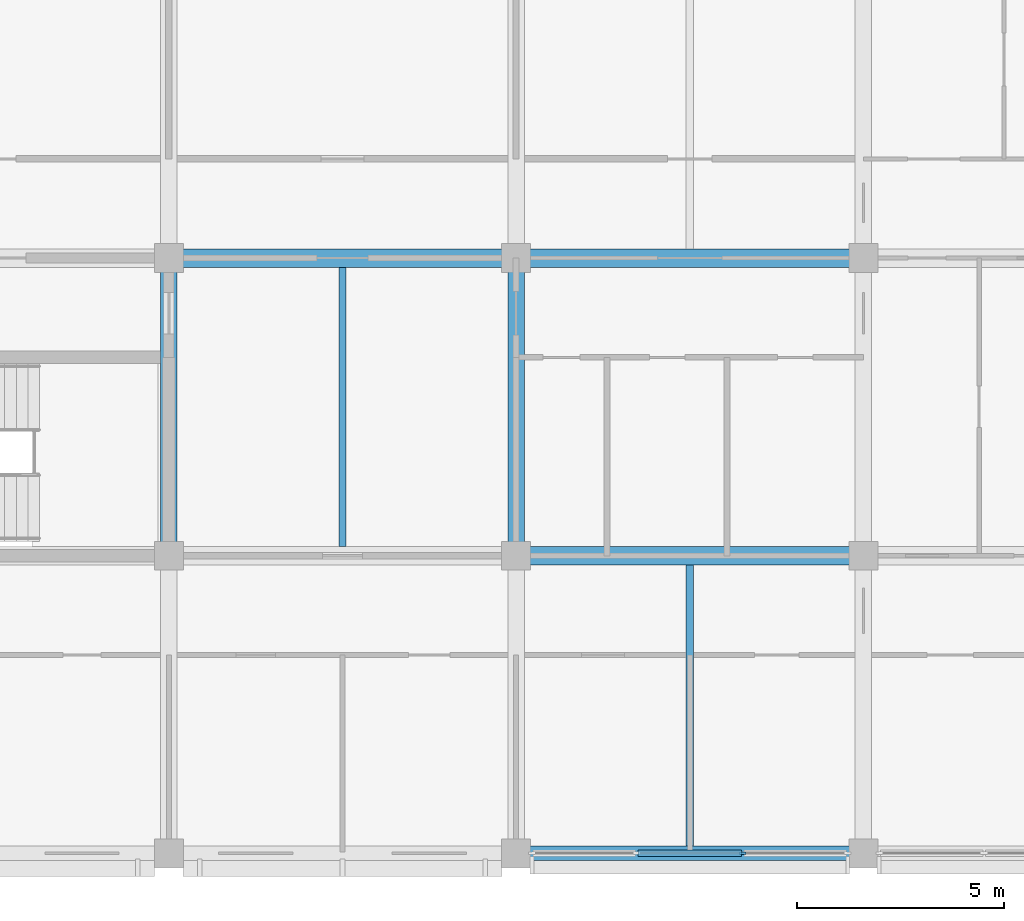
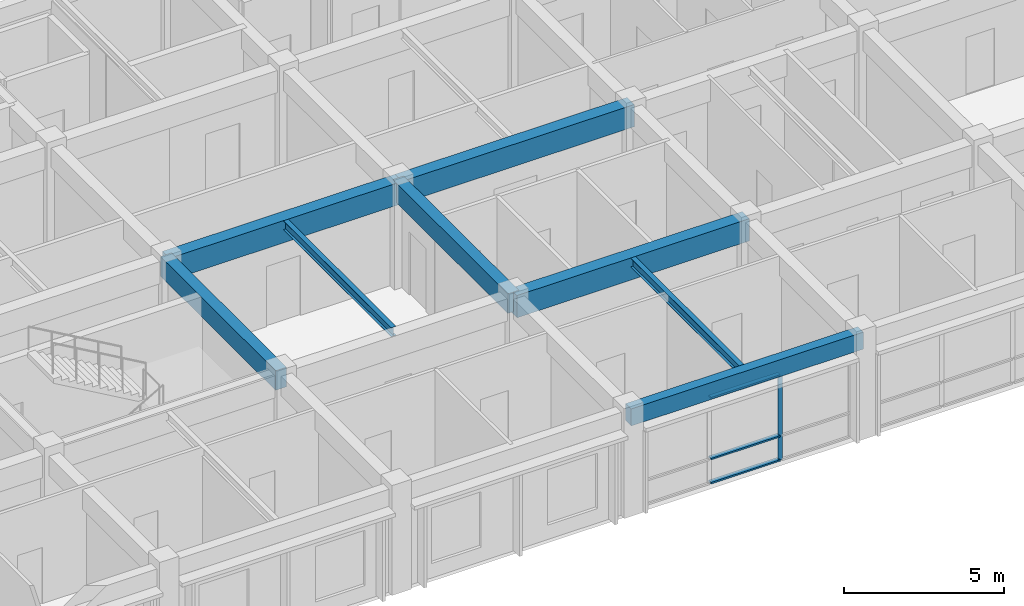
# One storey, part 3 of 19: 8 beams, 4 members, 1 element without a shape of its own.
"""IFC4 building model written with IfcOpenShell, lengths in metres."""

from ifc_helpers import new_model, si_unit, direction, frame, origin, origin_2d, place, context, subcontext, project, spatial, rectangle, i_section, extrude, material, layer, layer_set, material_profile, profile_set, type_object, element, aggregate, save


model = new_model("IFC4")

# Units and contexts
model_context = context("Model", 3, precision=1e-05, world=origin(), true_north=direction((0.0, 1.0)))
body_context = subcontext(model_context, "Body", "Model", "MODEL_VIEW")
ifc_project = project(units=[si_unit("LENGTHUNIT", "METRE"), si_unit("AREAUNIT", "SQUARE_METRE"), si_unit("VOLUMEUNIT", "CUBIC_METRE"), si_unit("PLANEANGLEUNIT", "RADIAN"), si_unit("MASSUNIT", "GRAM", prefix="KILO")], contexts=[model_context])

# Site, building, storey
site_placement = place(None, origin())
site = spatial("IfcSite", under=ifc_project, at=site_placement, CompositionType="ELEMENT")
building_placement = place(site_placement, origin())
building = spatial("IfcBuilding", under=site, at=building_placement, Name="Chengyuan Square Courthouse", CompositionType="ELEMENT")
storey_placement = place(building_placement, frame((0.0, 0.0, 56.10009765625)))
storey = spatial("IfcBuildingStorey", under=building, at=storey_placement, Name="L13", CompositionType="ELEMENT", Elevation=56.10009765625)

# Beams
ifc_material_1 = material(Name="Concrete C40", Category="concrete")
ifc_material_profile_1 = material_profile(ifc_material_1, rectangle(XDim=0.449951171875, YDim=0.85009765625, at=origin_2d()), Name="RC-BM-450x850")
ifc_profile_set_1 = profile_set([ifc_material_profile_1], Name="Concrete C40")
beam_type_1 = type_object("IfcBeamType", Name="BM-01", PredefinedType="USERDEFINED", material=ifc_profile_set_1)
beam_1_placement = place(storey_placement, frame((75.60009765625, 86.39990234375, 3.534912109375), z_axis=(1.0, 0.0, 0.0), x_axis=(0.0, 1.0, 0.0)))
element("IfcBeam", 1, at=beam_1_placement, inside=storey, type_object=beam_type_1, Name="Girder BM-L13-4346", ObjectType="GIRDER", PredefinedType="USERDEFINED", context=body_context, shape_type="SweptSolid", body=[
    extrude(rectangle(XDim=0.449951171875, YDim=0.85009765625, at=origin_2d()), origin(), (0.0, 0.0, 1.0), 8.39990234375),
])
beam_2_placement = place(storey_placement, frame((67.199951171875, 93.60009765625, 3.534912109375), z_axis=(1.0, 0.0, 0.0), x_axis=(0.0, 1.0, 0.0)))
element("IfcBeam", 2, at=beam_2_placement, inside=storey, type_object=beam_type_1, Name="Girder BM-L13-4353", ObjectType="GIRDER", PredefinedType="USERDEFINED", context=body_context, shape_type="SweptSolid", body=[
    extrude(rectangle(XDim=0.449951171875, YDim=0.85009765625, at=origin_2d()), origin(), (0.0, 0.0, 1.0), 8.400146484375),
])
beam_3_placement = place(storey_placement, frame((75.60009765625, 93.60009765625, 3.534912109375), z_axis=(1.0, 0.0, 0.0), x_axis=(0.0, 1.0, 0.0)))
element("IfcBeam", 3, at=beam_3_placement, inside=storey, type_object=beam_type_1, Name="Girder BM-L13-4354", ObjectType="GIRDER", PredefinedType="USERDEFINED", context=body_context, shape_type="SweptSolid", body=[
    extrude(rectangle(XDim=0.449951171875, YDim=0.85009765625, at=origin_2d()), origin(), (0.0, 0.0, 1.0), 8.39990234375),
])
ifc_material_profile_2 = material_profile(ifc_material_1, rectangle(XDim=0.39990234375, YDim=0.75, at=origin_2d()), Name="RC-BM-400x750")
ifc_profile_set_2 = profile_set([ifc_material_profile_2], Name="Concrete C40")
beam_type_2 = type_object("IfcBeamType", Name="BM-02", PredefinedType="USERDEFINED", material=ifc_profile_set_2)
for number, where, z_axis, x_axis, name in (
    (4, (67.199951171875, 86.39990234375, 3.5849609375), (0.0, 1.0, 0.0), (-1.0, 0.0, 0.0), "Girder BM-L13-4384"),
    (5, (75.60009765625, 86.39990234375, 3.5849609375), (0.0, 1.0, 0.0), (-1.0, 0.0, 0.0), "Girder BM-L13-4388"),
):
    element("IfcBeam", number, at=place(storey_placement, frame(where, z_axis=z_axis, x_axis=x_axis)), inside=storey, type_object=beam_type_2, Name=name, ObjectType="GIRDER", PredefinedType="USERDEFINED", context=body_context, shape_type="SweptSolid", body=[
        extrude(rectangle(XDim=0.39990234375, YDim=0.75, at=origin_2d()), origin(), (0.0, 0.0, 1.0), 7.2001953125),
    ])
ifc_material_profile_3 = material_profile(ifc_material_1, rectangle(XDim=0.35009765625, YDim=0.64990234375, at=origin_2d()), Name="RC-BM-350x650")
ifc_profile_set_3 = profile_set([ifc_material_profile_3], Name="Concrete C40")
beam_type_3 = type_object("IfcBeamType", Name="BM-03", PredefinedType="SPANDREL", material=ifc_profile_set_3)
beam_4_placement = place(storey_placement, frame((75.60009765625, 79.199951171875, 3.635009765625), z_axis=(1.0, 0.0, 0.0), x_axis=(0.0, 1.0, 0.0)))
element("IfcBeam", 6, at=beam_4_placement, inside=storey, type_object=beam_type_3, Name="Girder BM-L13-4338", PredefinedType="SPANDREL", context=body_context, shape_type="SweptSolid", body=[
    extrude(rectangle(XDim=0.35009765625, YDim=0.64990234375, at=origin_2d()), origin(), (0.0, 0.0, 1.0), 8.39990234375),
])
ifc_material_2 = material(Name="Steel Q355B", Category="steel")
ifc_material_profile_4 = material_profile(ifc_material_2, i_section(OverallWidth=0.175048828125, OverallDepth=0.35009765625, WebThickness=0.007080078125, FlangeThickness=0.010986328125, at=origin_2d()), Name="HN 350x175x7x11")
ifc_profile_set_4 = profile_set([ifc_material_profile_4], Name="Steel Q355B")
beam_type_4 = type_object("IfcBeamType", Name="BM-08", PredefinedType="BEAM", material=ifc_profile_set_4)
beam_5_placement = place(storey_placement, frame((71.39990234375, 86.625, 3.784912109375), z_axis=(0.0, 1.0, 0.0), x_axis=(-1.0, 0.0, 0.0)))
element("IfcBeam", 7, at=beam_5_placement, inside=storey, type_object=beam_type_4, Name="Secondary Floor Beam SBM-L13-4415", PredefinedType="BEAM", context=body_context, shape_type="SweptSolid", body=[
    extrude(i_section(OverallWidth=0.175048828125, OverallDepth=0.35009765625, WebThickness=0.007080078125, FlangeThickness=0.010986328125, at=origin_2d()), origin(), (0.0, 0.0, 1.0), 6.75),
])
beam_6_placement = place(storey_placement, frame((79.800048828125, 79.375, 3.784912109375), z_axis=(0.0, 1.0, 0.0), x_axis=(-1.0, 0.0, 0.0)))
element("IfcBeam", 8, at=beam_6_placement, inside=storey, type_object=beam_type_4, Name="Secondary Floor Beam SBM-L13-4417", PredefinedType="BEAM", context=body_context, shape_type="SweptSolid", body=[
    extrude(i_section(OverallWidth=0.175048828125, OverallDepth=0.35009765625, WebThickness=0.007080078125, FlangeThickness=0.010986328125, at=origin_2d()), origin(), (0.0, 0.0, 1.0), 6.800048828125),
])

# Curtain wall, members
ifc_material_3 = material(Name="Unitised Aluminium and Triple Low-E Glass", Category="aluminium")
ifc_layer = layer(ifc_material_3, 0.159912109375)
ifc_layer_set = layer_set([ifc_layer], Name="Unitised Aluminium and Triple Low-E Glass")
curtain_wall_type = type_object("IfcCurtainWallType", Name="CW-13", PredefinedType="USERDEFINED", material=ifc_layer_set)
curtain_wall_placement = place(storey_placement, origin())
curtain_wall = element("IfcCurtainWall", 9, at=curtain_wall_placement, inside=storey, type_object=curtain_wall_type, Name="Unitised Curtain Wall CW-L13-267", ObjectType="UNITISED CURTAIN WALL", PredefinedType="USERDEFINED")
ifc_material_4 = material(Name="Aluminium 6063-T6 Frame", Category="aluminium")
ifc_material_profile_5 = material_profile(ifc_material_4, rectangle(XDim=0.06005859375, YDim=0.159912109375, at=origin_2d()), Name="CW-MUL-60x160")
ifc_profile_set_5 = profile_set([ifc_material_profile_5], Name="Aluminium 6063-T6 Frame")
member_type_1 = type_object("IfcMemberType", Name="CWM-01", PredefinedType="MULLION", material=ifc_profile_set_5)
member_1_placement = place(storey_placement, frame((81.083251953125, 79.199951171875, 0.0), z_axis=(0.0, 0.0, 1.0), x_axis=(0.0, 1.0, 0.0)))
member_1 = element("IfcMember", 10, at=member_1_placement, type_object=member_type_1, Name="CW-13 mullion 3", PredefinedType="MULLION", context=body_context, shape_type="SweptSolid", body=[
    extrude(rectangle(XDim=0.06005859375, YDim=0.159912109375, at=origin_2d()), origin(), (0.0, 0.0, 1.0), 3.309814453125),
])
ifc_material_profile_6 = material_profile(ifc_material_4, rectangle(XDim=0.159912109375, YDim=0.06005859375, at=origin_2d()), Name="CW-TRN-60x120")
ifc_profile_set_6 = profile_set([ifc_material_profile_6], Name="Aluminium 6063-T6 Frame")
member_type_2 = type_object("IfcMemberType", Name="CWT-01", PredefinedType="USERDEFINED", material=ifc_profile_set_6)
member_2_placement = place(storey_placement, frame((78.546630859375, 79.199951171875, 0.02978515625), z_axis=(1.0, 0.0, 0.0), x_axis=(0.0, 1.0, 0.0)))
member_2 = element("IfcMember", 11, at=member_2_placement, type_object=member_type_2, Name="CW-13 transom 2.1", ObjectType="TRANSOM", PredefinedType="USERDEFINED", context=body_context, shape_type="SweptSolid", body=[
    extrude(rectangle(XDim=0.159912109375, YDim=0.06005859375, at=origin_2d()), origin(), (0.0, 0.0, 1.0), 2.506591796875),
])
member_3_placement = place(storey_placement, frame((78.546630859375, 79.199951171875, 0.949951171875), z_axis=(1.0, 0.0, 0.0), x_axis=(0.0, 1.0, 0.0)))
member_3 = element("IfcMember", 12, at=member_3_placement, type_object=member_type_2, Name="CW-13 transom 2.2", ObjectType="TRANSOM", PredefinedType="USERDEFINED", context=body_context, shape_type="SweptSolid", body=[
    extrude(rectangle(XDim=0.159912109375, YDim=0.06005859375, at=origin_2d()), origin(), (0.0, 0.0, 1.0), 2.506591796875),
])
member_4_placement = place(storey_placement, frame((78.546630859375, 79.199951171875, 3.27978515625), z_axis=(1.0, 0.0, 0.0), x_axis=(0.0, 1.0, 0.0)))
member_4 = element("IfcMember", 13, at=member_4_placement, type_object=member_type_2, Name="CW-13 transom 2.3", ObjectType="TRANSOM", PredefinedType="USERDEFINED", context=body_context, shape_type="SweptSolid", body=[
    extrude(rectangle(XDim=0.159912109375, YDim=0.06005859375, at=origin_2d()), origin(), (0.0, 0.0, 1.0), 2.506591796875),
])
aggregate(curtain_wall, [member_1, member_2, member_3, member_4])

save(model, "model.ifc")
